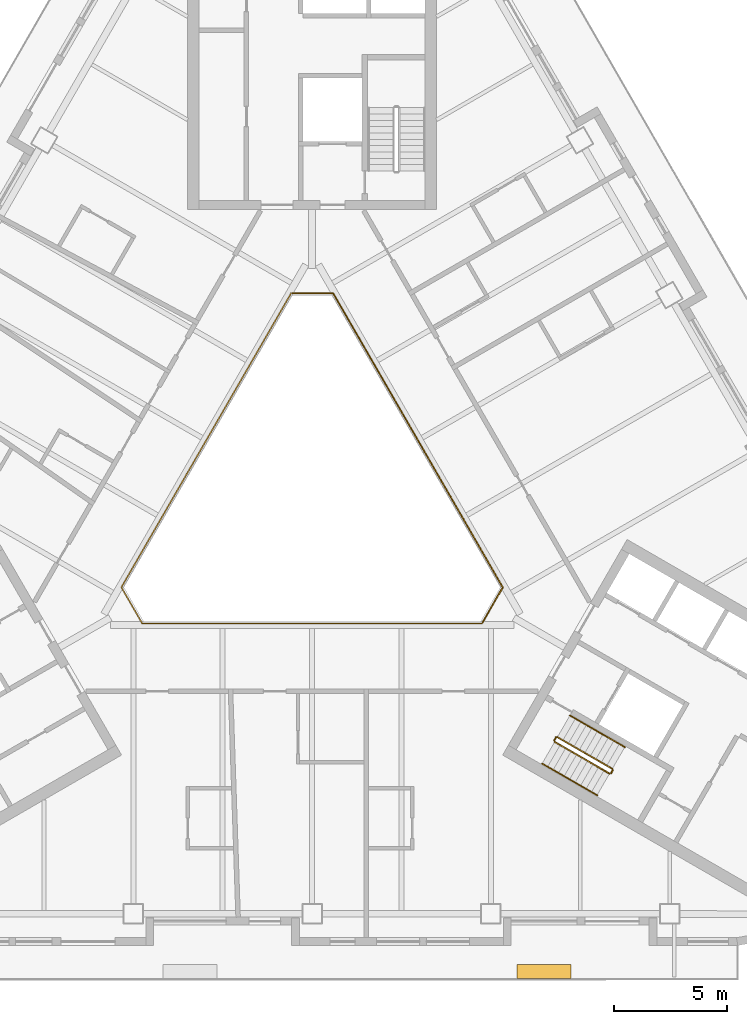
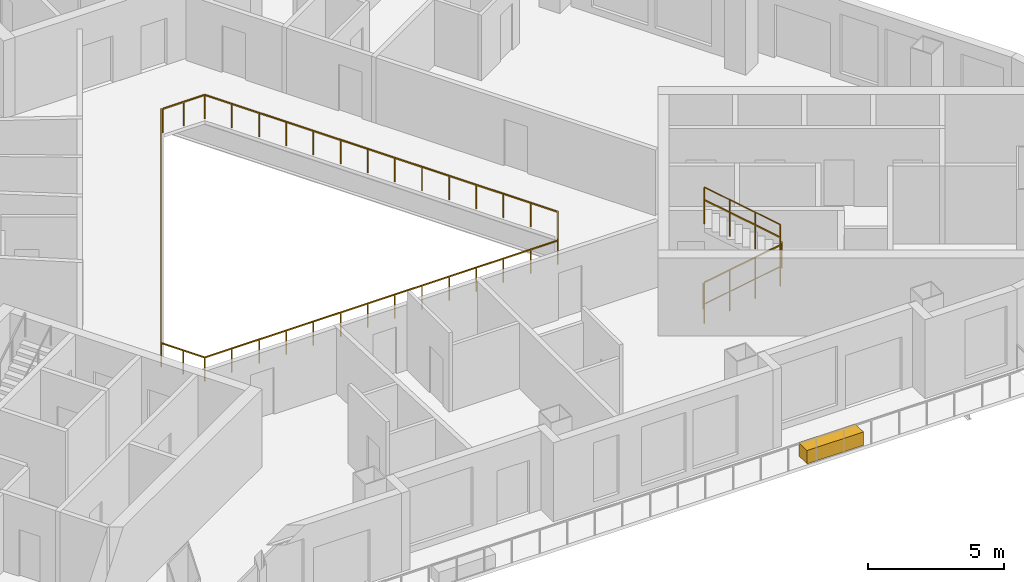
# One storey, part 11 of 13: 8 railings, 1 covering.
"""IFC4 building model written with IfcOpenShell, lengths in metres."""

from ifc_helpers import new_model, si_unit, direction, frame, origin, origin_2d, place, context, subcontext, project, spatial, rectangle, circle, extrude, material, type_object, element, save


model = new_model("IFC4")

# Units and contexts
model_context = context("Model", 3, precision=1e-05, world=origin(), true_north=direction((0.0, 1.0)))
body_context = subcontext(model_context, "Body", "Model", "MODEL_VIEW")
ifc_project = project(units=[si_unit("LENGTHUNIT", "METRE"), si_unit("AREAUNIT", "SQUARE_METRE"), si_unit("VOLUMEUNIT", "CUBIC_METRE"), si_unit("PLANEANGLEUNIT", "RADIAN"), si_unit("MASSUNIT", "GRAM", prefix="KILO")], contexts=[model_context])

# Site, building, storey
site_placement = place(None, origin())
site = spatial("IfcSite", under=ifc_project, at=site_placement, CompositionType="ELEMENT")
building_placement = place(site_placement, origin())
building = spatial("IfcBuilding", under=site, at=building_placement, Name="Apuvela Tower Hotel", CompositionType="ELEMENT")
storey_placement = place(building_placement, frame((0.0, 0.0, 94.60009765625)))
storey = spatial("IfcBuildingStorey", under=building, at=storey_placement, Name="L21", CompositionType="ELEMENT", Elevation=94.60009765625)

# Railings
ifc_material_1 = material(Name="Steel S275 balustrade", Category="steel")
railing_type_1 = type_object("IfcRailingType", Name="COR-GUARD-1100", PredefinedType="GUARDRAIL", material=ifc_material_1)
railing_1_placement = place(storey_placement, frame((10.718994140625, -10.63427734375, 0.16796875)))
element("IfcRailing", 1, at=railing_1_placement, inside=storey, type_object=railing_type_1, Name="L21 ST3 stair guard 1", PredefinedType="GUARDRAIL", context=body_context, shape_type="SweptSolid", body=[
    extrude(rectangle(XDim=0.048095703125, YDim=0.048095703125, at=origin_2d()), frame((0.0, 0.0, 1.076171875), z_axis=(0.742390482028, -0.42860119049, 0.514934356695), x_axis=(0.49998411664, 0.866034573852, 0.0)), (0.0, 0.0, 1.0), 3.26611328125),
    extrude(rectangle(XDim=0.0419921875, YDim=0.0419921875, at=origin_2d()), origin(), (0.0, 0.0, 1.0), 1.052001953125),
    extrude(rectangle(XDim=0.0419921875, YDim=0.0419921875, at=origin_2d()), frame((0.808349609375, -0.466552734375, 0.560546875)), (0.0, 0.0, 1.0), 1.052001953125),
    extrude(rectangle(XDim=0.0419921875, YDim=0.0419921875, at=origin_2d()), frame((1.616455078125, -0.933349609375, 1.121337890625)), (0.0, 0.0, 1.0), 1.052001953125),
    extrude(rectangle(XDim=0.0419921875, YDim=0.0419921875, at=origin_2d()), frame((2.4248046875, -1.39990234375, 1.681884765625)), (0.0, 0.0, 1.0), 1.052001953125),
])
railing_2_placement = place(storey_placement, frame((13.212158203125, -12.015869140625, 1.849853515625)))
element("IfcRailing", 2, at=railing_2_placement, inside=storey, type_object=railing_type_1, Name="L21 ST3 stair guard 2", PredefinedType="GUARDRAIL", context=body_context, shape_type="SweptSolid", body=[
    extrude(rectangle(XDim=0.048095703125, YDim=0.048095703125, at=origin_2d()), frame((0.0, 0.0, 1.076171875), z_axis=(0.499816412211, 0.866131372301, 0.0), x_axis=(-0.866131372301, 0.499816412211, 0.0)), (0.0, 0.0, 1.0), 0.14990234375),
    extrude(rectangle(XDim=0.0419921875, YDim=0.0419921875, at=origin_2d()), origin(), (0.0, 0.0, 1.0), 1.052001953125),
    extrude(rectangle(XDim=0.0419921875, YDim=0.0419921875, at=origin_2d()), frame((0.074951171875, 0.1298828125, 0.0)), (0.0, 0.0, 1.0), 1.052001953125),
])
railing_3_placement = place(storey_placement, frame((13.268798828125, -11.817626953125, 2.01806640625)))
element("IfcRailing", 3, at=railing_3_placement, inside=storey, type_object=railing_type_1, Name="L21 ST3 stair guard 3", PredefinedType="GUARDRAIL", context=body_context, shape_type="SweptSolid", body=[
    extrude(rectangle(XDim=0.048095703125, YDim=0.048095703125, at=origin_2d()), frame((0.0, 0.0, 1.076171875), z_axis=(-0.742390482028, 0.42860119049, 0.514934356695), x_axis=(-0.49998411664, -0.866034573852, 0.0)), (0.0, 0.0, 1.0), 3.26611328125),
    extrude(rectangle(XDim=0.0419921875, YDim=0.0419921875, at=origin_2d()), origin(), (0.0, 0.0, 1.0), 1.052001953125),
    extrude(rectangle(XDim=0.0419921875, YDim=0.0419921875, at=origin_2d()), frame((-0.808349609375, 0.466552734375, 0.560546875)), (0.0, 0.0, 1.0), 1.052001953125),
    extrude(rectangle(XDim=0.0419921875, YDim=0.0419921875, at=origin_2d()), frame((-1.616455078125, 0.933349609375, 1.121337890625)), (0.0, 0.0, 1.0), 1.052001953125),
    extrude(rectangle(XDim=0.0419921875, YDim=0.0419921875, at=origin_2d()), frame((-2.4248046875, 1.39990234375, 1.681884765625)), (0.0, 0.0, 1.0), 1.052001953125),
])
railing_4_placement = place(storey_placement, frame((10.70068359375, -10.56591796875, 0.0)))
element("IfcRailing", 4, at=railing_4_placement, inside=storey, type_object=railing_type_1, Name="L21 ST3 stair guard 4", PredefinedType="GUARDRAIL", context=body_context, shape_type="SweptSolid", body=[
    extrude(rectangle(XDim=0.048095703125, YDim=0.048095703125, at=origin_2d()), frame((0.0, 0.0, 1.076171875), z_axis=(0.499816412211, 0.866131372301, 0.0), x_axis=(-0.866131372301, 0.499816412211, 0.0)), (0.0, 0.0, 1.0), 0.14990234375),
    extrude(rectangle(XDim=0.0419921875, YDim=0.0419921875, at=origin_2d()), origin(), (0.0, 0.0, 1.0), 1.052001953125),
    extrude(rectangle(XDim=0.0419921875, YDim=0.0419921875, at=origin_2d()), frame((0.074951171875, 0.1298828125, 0.0)), (0.0, 0.0, 1.0), 1.052001953125),
])
ifc_material_2 = material(Name="Stainless steel 316 handrail", Category="steel")
railing_type_2 = type_object("IfcRailingType", Name="COR-HANDRAIL-900", PredefinedType="HANDRAIL", material=ifc_material_2)
railing_5_placement = place(storey_placement, frame((10.1689453125, -11.5869140625, 0.16796875)))
element("IfcRailing", 5, at=railing_5_placement, inside=storey, type_object=railing_type_2, Name="L21 ST3 stair handrail 1", PredefinedType="HANDRAIL", context=body_context, shape_type="SweptSolid", body=[
    extrude(circle(Radius=0.02392578125, at=origin_2d()), frame((0.0, 0.0, 0.8759765625), z_axis=(0.742390482028, -0.42860119049, 0.514934356695), x_axis=(0.49998411664, 0.866034573852, 0.0)), (0.0, 0.0, 1.0), 3.26611328125),
    extrude(rectangle(XDim=0.0419921875, YDim=0.0419921875, at=origin_2d()), origin(), (0.0, 0.0, 1.0), 0.851806640625),
    extrude(rectangle(XDim=0.0419921875, YDim=0.0419921875, at=origin_2d()), frame((0.808349609375, -0.466552734375, 0.560546875)), (0.0, 0.0, 1.0), 0.851806640625),
    extrude(rectangle(XDim=0.0419921875, YDim=0.0419921875, at=origin_2d()), frame((1.616455078125, -0.933349609375, 1.121337890625)), (0.0, 0.0, 1.0), 0.851806640625),
    extrude(rectangle(XDim=0.0419921875, YDim=0.0419921875, at=origin_2d()), frame((2.4248046875, -1.39990234375, 1.681884765625)), (0.0, 0.0, 1.0), 0.851806640625),
])
railing_6_placement = place(storey_placement, frame((13.81884765625, -10.864990234375, 2.01806640625)))
element("IfcRailing", 6, at=railing_6_placement, inside=storey, type_object=railing_type_2, Name="L21 ST3 stair handrail 2", PredefinedType="HANDRAIL", context=body_context, shape_type="SweptSolid", body=[
    extrude(circle(Radius=0.02392578125, at=origin_2d()), frame((0.0, 0.0, 0.8759765625), z_axis=(-0.742390482028, 0.42860119049, 0.514934356695), x_axis=(-0.49998411664, -0.866034573852, 0.0)), (0.0, 0.0, 1.0), 3.26611328125),
    extrude(rectangle(XDim=0.0419921875, YDim=0.0419921875, at=origin_2d()), origin(), (0.0, 0.0, 1.0), 0.851806640625),
    extrude(rectangle(XDim=0.0419921875, YDim=0.0419921875, at=origin_2d()), frame((-0.808349609375, 0.466552734375, 0.560546875)), (0.0, 0.0, 1.0), 0.851806640625),
    extrude(rectangle(XDim=0.0419921875, YDim=0.0419921875, at=origin_2d()), frame((-1.616455078125, 0.933349609375, 1.121337890625)), (0.0, 0.0, 1.0), 0.851806640625),
    extrude(rectangle(XDim=0.0419921875, YDim=0.0419921875, at=origin_2d()), frame((-2.4248046875, 1.39990234375, 1.681884765625)), (0.0, 0.0, 1.0), 0.851806640625),
])
ifc_material_3 = material(Name="Stainless steel 316 rail with laminated glass infill", Category="steel")
railing_type_3 = type_object("IfcRailingType", Name="ENV-GUARD-1100", PredefinedType="GUARDRAIL", material=ifc_material_3)
railing_7_placement = place(storey_placement, frame((-0.923828125, 9.199951171875, 0.0)))
element("IfcRailing", 7, at=railing_7_placement, inside=storey, type_object=railing_type_3, Name="Atrium void guard A L21", PredefinedType="GUARDRAIL", context=body_context, shape_type="SweptSolid", body=[
    extrude(rectangle(XDim=0.050048828125, YDim=0.050048828125, at=origin_2d()), frame((0.0, 0.0, 1.0751953125), z_axis=(-0.499990886379, -0.866030665472, 0.0), x_axis=(0.866030665472, -0.499990886379, 0.0)), (0.0, 0.0, 1.0), 15.010986328125),
    extrude(rectangle(XDim=0.050048828125, YDim=0.050048828125, at=origin_2d()), frame((-7.50537109375, -13.0, 1.0751953125), z_axis=(0.499962699187, -0.866046938348, 0.0), x_axis=(0.866046938348, 0.499962699187, 0.0)), (0.0, 0.0, 1.0), 1.847412109375),
    extrude(rectangle(XDim=0.050048828125, YDim=0.050048828125, at=origin_2d()), frame((-6.581787109375, -14.599853515625, 1.0751953125), z_axis=(1.0, 0.0, 0.0), x_axis=(0.0, 1.0, 0.0)), (0.0, 0.0, 1.0), 15.01123046875),
    extrude(rectangle(XDim=0.0400390625, YDim=0.0400390625, at=origin_2d()), origin(), (0.0, 0.0, 1.0), 1.050048828125),
    extrude(rectangle(XDim=0.0400390625, YDim=0.0400390625, at=origin_2d()), frame((-0.577392578125, -1.0, 0.0)), (0.0, 0.0, 1.0), 1.050048828125),
    extrude(rectangle(XDim=0.0400390625, YDim=0.0400390625, at=origin_2d()), frame((-1.15478515625, -2.0, 0.0)), (0.0, 0.0, 1.0), 1.050048828125),
    extrude(rectangle(XDim=0.0400390625, YDim=0.0400390625, at=origin_2d()), frame((-1.73193359375, -3.0, 0.0)), (0.0, 0.0, 1.0), 1.050048828125),
    extrude(rectangle(XDim=0.0400390625, YDim=0.0400390625, at=origin_2d()), frame((-2.309326171875, -4.0, 0.0)), (0.0, 0.0, 1.0), 1.050048828125),
    extrude(rectangle(XDim=0.0400390625, YDim=0.0400390625, at=origin_2d()), frame((-2.88671875, -5.0, 0.0)), (0.0, 0.0, 1.0), 1.050048828125),
    extrude(rectangle(XDim=0.0400390625, YDim=0.0400390625, at=origin_2d()), frame((-3.464111328125, -6.0, 0.0)), (0.0, 0.0, 1.0), 1.050048828125),
    extrude(rectangle(XDim=0.0400390625, YDim=0.0400390625, at=origin_2d()), frame((-4.041259765625, -7.0, 0.0)), (0.0, 0.0, 1.0), 1.050048828125),
    extrude(rectangle(XDim=0.0400390625, YDim=0.0400390625, at=origin_2d()), frame((-4.61865234375, -8.0, 0.0)), (0.0, 0.0, 1.0), 1.050048828125),
    extrude(rectangle(XDim=0.0400390625, YDim=0.0400390625, at=origin_2d()), frame((-5.196044921875, -9.0, 0.0)), (0.0, 0.0, 1.0), 1.050048828125),
    extrude(rectangle(XDim=0.0400390625, YDim=0.0400390625, at=origin_2d()), frame((-5.7734375, -10.0, 0.0)), (0.0, 0.0, 1.0), 1.050048828125),
    extrude(rectangle(XDim=0.0400390625, YDim=0.0400390625, at=origin_2d()), frame((-6.3505859375, -11.0, 0.0)), (0.0, 0.0, 1.0), 1.050048828125),
    extrude(rectangle(XDim=0.0400390625, YDim=0.0400390625, at=origin_2d()), frame((-6.927978515625, -12.0, 0.0)), (0.0, 0.0, 1.0), 1.050048828125),
    extrude(rectangle(XDim=0.0400390625, YDim=0.0400390625, at=origin_2d()), frame((-7.50537109375, -13.0, 0.0)), (0.0, 0.0, 1.0), 1.050048828125),
    extrude(rectangle(XDim=0.0400390625, YDim=0.0400390625, at=origin_2d()), frame((-7.04345703125, -13.7998046875, 0.0)), (0.0, 0.0, 1.0), 1.050048828125),
    extrude(rectangle(XDim=0.0400390625, YDim=0.0400390625, at=origin_2d()), frame((-6.581787109375, -14.599853515625, 0.0)), (0.0, 0.0, 1.0), 1.050048828125),
    extrude(rectangle(XDim=0.0400390625, YDim=0.0400390625, at=origin_2d()), frame((-5.427001953125, -14.599853515625, 0.0)), (0.0, 0.0, 1.0), 1.050048828125),
    extrude(rectangle(XDim=0.0400390625, YDim=0.0400390625, at=origin_2d()), frame((-4.2724609375, -14.599853515625, 0.0)), (0.0, 0.0, 1.0), 1.050048828125),
    extrude(rectangle(XDim=0.0400390625, YDim=0.0400390625, at=origin_2d()), frame((-3.11767578125, -14.599853515625, 0.0)), (0.0, 0.0, 1.0), 1.050048828125),
    extrude(rectangle(XDim=0.0400390625, YDim=0.0400390625, at=origin_2d()), frame((-1.962890625, -14.599853515625, 0.0)), (0.0, 0.0, 1.0), 1.050048828125),
    extrude(rectangle(XDim=0.0400390625, YDim=0.0400390625, at=origin_2d()), frame((-0.808349609375, -14.599853515625, 0.0)), (0.0, 0.0, 1.0), 1.050048828125),
    extrude(rectangle(XDim=0.0400390625, YDim=0.0400390625, at=origin_2d()), frame((0.346435546875, -14.599853515625, 0.0)), (0.0, 0.0, 1.0), 1.050048828125),
    extrude(rectangle(XDim=0.0400390625, YDim=0.0400390625, at=origin_2d()), frame((1.501220703125, -14.599853515625, 0.0)), (0.0, 0.0, 1.0), 1.050048828125),
    extrude(rectangle(XDim=0.0400390625, YDim=0.0400390625, at=origin_2d()), frame((2.656005859375, -14.599853515625, 0.0)), (0.0, 0.0, 1.0), 1.050048828125),
    extrude(rectangle(XDim=0.0400390625, YDim=0.0400390625, at=origin_2d()), frame((3.810546875, -14.599853515625, 0.0)), (0.0, 0.0, 1.0), 1.050048828125),
    extrude(rectangle(XDim=0.0400390625, YDim=0.0400390625, at=origin_2d()), frame((4.96533203125, -14.599853515625, 0.0)), (0.0, 0.0, 1.0), 1.050048828125),
    extrude(rectangle(XDim=0.0400390625, YDim=0.0400390625, at=origin_2d()), frame((6.1201171875, -14.599853515625, 0.0)), (0.0, 0.0, 1.0), 1.050048828125),
    extrude(rectangle(XDim=0.0400390625, YDim=0.0400390625, at=origin_2d()), frame((7.274658203125, -14.599853515625, 0.0)), (0.0, 0.0, 1.0), 1.050048828125),
    extrude(rectangle(XDim=0.0400390625, YDim=0.0400390625, at=origin_2d()), frame((8.429443359375, -14.599853515625, 0.0)), (0.0, 0.0, 1.0), 1.050048828125),
])
railing_8_placement = place(storey_placement, frame((7.53564453125, -5.347900390625, 0.0)))
element("IfcRailing", 8, at=railing_8_placement, inside=storey, type_object=railing_type_3, Name="Atrium void guard B L21", PredefinedType="GUARDRAIL", context=body_context, shape_type="SweptSolid", body=[
    extrude(rectangle(XDim=0.050048828125, YDim=0.050048828125, at=origin_2d()), frame((0.0, 0.0, 1.0751953125), z_axis=(0.499958946799, 0.866049104564, 0.0), x_axis=(-0.866049104564, 0.499958946799, 0.0)), (0.0, 0.0, 1.0), 1.787353515625),
    extrude(rectangle(XDim=0.050048828125, YDim=0.050048828125, at=origin_2d()), frame((0.8935546875, 1.5478515625, 1.0751953125), z_axis=(-0.499990886379, 0.866030665472, 0.0), x_axis=(-0.866030665472, -0.499990886379, 0.0)), (0.0, 0.0, 1.0), 15.010986328125),
    extrude(rectangle(XDim=0.050048828125, YDim=0.050048828125, at=origin_2d()), frame((-6.61181640625, 14.5478515625, 1.0751953125), z_axis=(-1.0, 0.0, 0.0), x_axis=(0.0, -1.0, 0.0)), (0.0, 0.0, 1.0), 1.78759765625),
    extrude(rectangle(XDim=0.0400390625, YDim=0.0400390625, at=origin_2d()), origin(), (0.0, 0.0, 1.0), 1.050048828125),
    extrude(rectangle(XDim=0.0400390625, YDim=0.0400390625, at=origin_2d()), frame((0.44677734375, 0.77392578125, 0.0)), (0.0, 0.0, 1.0), 1.050048828125),
    extrude(rectangle(XDim=0.0400390625, YDim=0.0400390625, at=origin_2d()), frame((0.8935546875, 1.5478515625, 0.0)), (0.0, 0.0, 1.0), 1.050048828125),
    extrude(rectangle(XDim=0.0400390625, YDim=0.0400390625, at=origin_2d()), frame((0.316162109375, 2.5478515625, 0.0)), (0.0, 0.0, 1.0), 1.050048828125),
    extrude(rectangle(XDim=0.0400390625, YDim=0.0400390625, at=origin_2d()), frame((-0.26123046875, 3.5478515625, 0.0)), (0.0, 0.0, 1.0), 1.050048828125),
    extrude(rectangle(XDim=0.0400390625, YDim=0.0400390625, at=origin_2d()), frame((-0.83837890625, 4.5478515625, 0.0)), (0.0, 0.0, 1.0), 1.050048828125),
    extrude(rectangle(XDim=0.0400390625, YDim=0.0400390625, at=origin_2d()), frame((-1.415771484375, 5.5478515625, 0.0)), (0.0, 0.0, 1.0), 1.050048828125),
    extrude(rectangle(XDim=0.0400390625, YDim=0.0400390625, at=origin_2d()), frame((-1.9931640625, 6.5478515625, 0.0)), (0.0, 0.0, 1.0), 1.050048828125),
    extrude(rectangle(XDim=0.0400390625, YDim=0.0400390625, at=origin_2d()), frame((-2.570556640625, 7.5478515625, 0.0)), (0.0, 0.0, 1.0), 1.050048828125),
    extrude(rectangle(XDim=0.0400390625, YDim=0.0400390625, at=origin_2d()), frame((-3.147705078125, 8.5478515625, 0.0)), (0.0, 0.0, 1.0), 1.050048828125),
    extrude(rectangle(XDim=0.0400390625, YDim=0.0400390625, at=origin_2d()), frame((-3.72509765625, 9.5478515625, 0.0)), (0.0, 0.0, 1.0), 1.050048828125),
    extrude(rectangle(XDim=0.0400390625, YDim=0.0400390625, at=origin_2d()), frame((-4.302490234375, 10.5478515625, 0.0)), (0.0, 0.0, 1.0), 1.050048828125),
    extrude(rectangle(XDim=0.0400390625, YDim=0.0400390625, at=origin_2d()), frame((-4.8798828125, 11.5478515625, 0.0)), (0.0, 0.0, 1.0), 1.050048828125),
    extrude(rectangle(XDim=0.0400390625, YDim=0.0400390625, at=origin_2d()), frame((-5.45703125, 12.5478515625, 0.0)), (0.0, 0.0, 1.0), 1.050048828125),
    extrude(rectangle(XDim=0.0400390625, YDim=0.0400390625, at=origin_2d()), frame((-6.034423828125, 13.5478515625, 0.0)), (0.0, 0.0, 1.0), 1.050048828125),
    extrude(rectangle(XDim=0.0400390625, YDim=0.0400390625, at=origin_2d()), frame((-6.61181640625, 14.5478515625, 0.0)), (0.0, 0.0, 1.0), 1.050048828125),
    extrude(rectangle(XDim=0.0400390625, YDim=0.0400390625, at=origin_2d()), frame((-7.505615234375, 14.5478515625, 0.0)), (0.0, 0.0, 1.0), 1.050048828125),
    extrude(rectangle(XDim=0.0400390625, YDim=0.0400390625, at=origin_2d()), frame((-8.3994140625, 14.5478515625, 0.0)), (0.0, 0.0, 1.0), 1.050048828125),
])

# Covering
ifc_material_4 = material(Name="Planting substrate and soil, planted")
covering_type = type_object("IfcCoveringType", Name="ENV-PLANTER-2400x600", PredefinedType="USERDEFINED", material=ifc_material_4)
covering_placement = place(storey_placement, frame((10.250244140625, -20.780029296875, -0.000244140625), z_axis=(0.0, 0.0, 1.0), x_axis=(1.0, 0.0, 0.0)))
element("IfcCovering", 9, at=covering_placement, inside=storey, type_object=covering_type, Name="Planter S2", ObjectType="PLANTER", PredefinedType="USERDEFINED", context=body_context, shape_type="SweptSolid", body=[
    extrude(rectangle(XDim=2.39990234375, YDim=0.60009765625, at=origin_2d()), origin(), (0.0, 0.0, 1.0), 0.60009765625),
])

save(model, "model.ifc")
